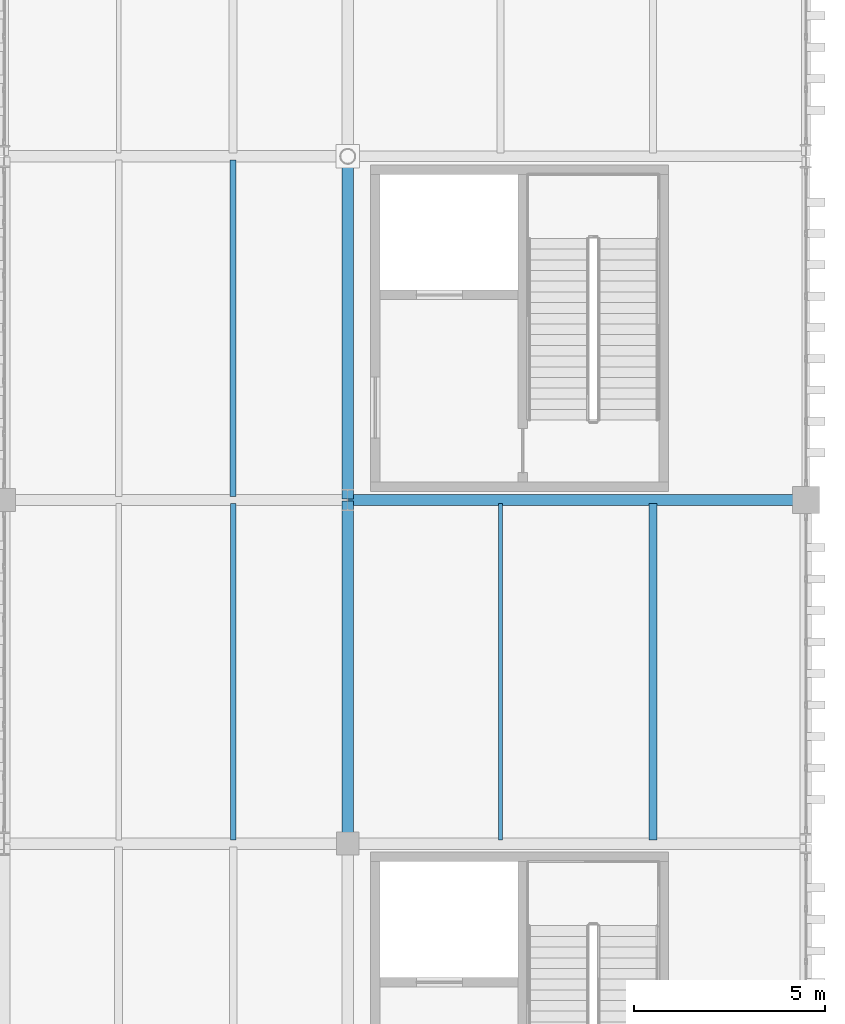
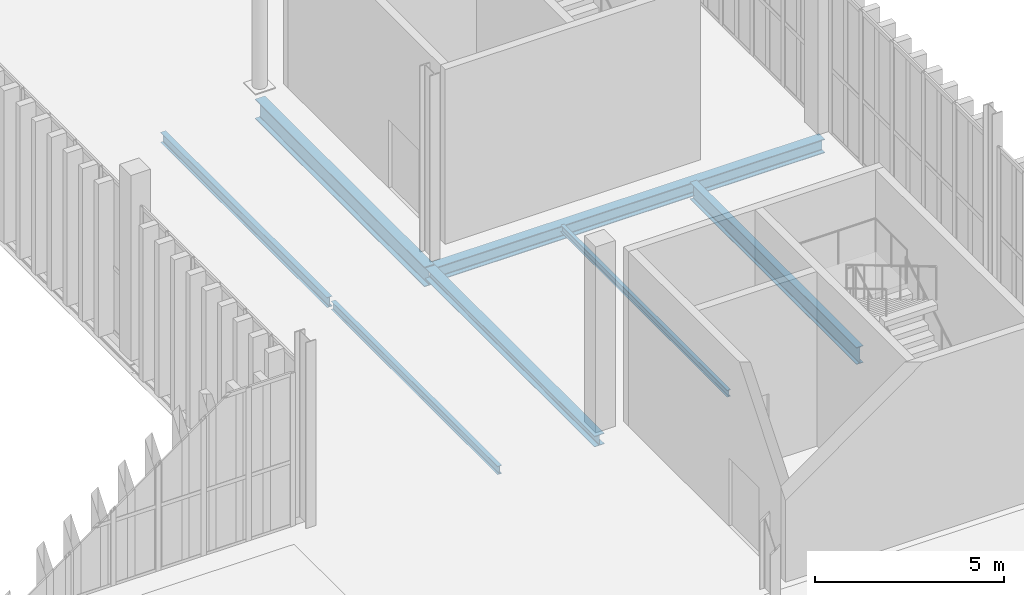
# One storey, part 117 of 211: 7 beams.
"""IFC4 building model written with IfcOpenShell, lengths in metres."""

from ifc_helpers import new_model, si_unit, direction, frame, origin, origin_2d, place, context, subcontext, project, spatial, i_section, extrude, material, material_profile, profile_set, type_object, element, save


model = new_model("IFC4")

# Units and contexts
model_context = context("Model", 3, precision=1e-05, world=origin(), true_north=direction((0.0, 1.0)))
body_context = subcontext(model_context, "Body", "Model", "MODEL_VIEW")
ifc_project = project(units=[si_unit("LENGTHUNIT", "METRE"), si_unit("AREAUNIT", "SQUARE_METRE"), si_unit("VOLUMEUNIT", "CUBIC_METRE"), si_unit("PLANEANGLEUNIT", "RADIAN"), si_unit("MASSUNIT", "GRAM", prefix="KILO")], contexts=[model_context])

# Site, building, storey
site_placement = place(None, origin())
site = spatial("IfcSite", under=ifc_project, at=site_placement, CompositionType="ELEMENT")
building_placement = place(site_placement, origin())
building = spatial("IfcBuilding", under=site, at=building_placement, Name="Barlavento Convention Centre", CompositionType="ELEMENT")
storey_placement = place(building_placement, frame((0.0, 0.0, 6.0)))
storey = spatial("IfcBuildingStorey", under=building, at=storey_placement, Name="L01", CompositionType="ELEMENT", Elevation=6.0)

# Beams
ifc_material = material(Name="Steel S355", Category="steel")
ifc_material_profile_1 = material_profile(ifc_material, i_section(OverallWidth=0.110107421875, OverallDepth=0.219970703125, WebThickness=0.005859375, FlangeThickness=0.00927734375, FilletRadius=0.011962890625, at=origin_2d()), Name="IPE 220")
ifc_profile_set_1 = profile_set([ifc_material_profile_1], Name="Steel S355")
beam_type_1 = type_object("IfcBeamType", Name="STR-BM-JST-IPE220", PredefinedType="JOIST", material=ifc_profile_set_1)
beam_1_placement = place(storey_placement, frame((184.0, 63.094970703125, -0.469970703125), z_axis=(0.0, 1.0, 0.0), x_axis=(-1.0, 0.0, 0.0)))
element("IfcBeam", 1, at=beam_1_placement, inside=storey, type_object=beam_type_1, Name="L01 composite floor joist SJ10", PredefinedType="JOIST", context=body_context, shape_type="SweptSolid", body=[
    extrude(i_section(OverallWidth=0.110107421875, OverallDepth=0.219970703125, WebThickness=0.005859375, FlangeThickness=0.00927734375, FilletRadius=0.011962890625, at=origin_2d()), origin(), (0.0, 0.0, 1.0), 8.81005859375),
])
ifc_material_profile_2 = material_profile(ifc_material, i_section(OverallWidth=0.135009765625, OverallDepth=0.27001953125, WebThickness=0.006591796875, FlangeThickness=0.01025390625, FilletRadius=0.014892578125, at=origin_2d()), Name="IPE 270")
ifc_profile_set_2 = profile_set([ifc_material_profile_2], Name="Steel S355")
beam_type_2 = type_object("IfcBeamType", Name="STR-BM-JST-IPE270", PredefinedType="JOIST", material=ifc_profile_set_2)
beam_2_placement = place(storey_placement, frame((177.0, 63.094970703125, -0.4951171875), z_axis=(0.0, 1.0, 0.0), x_axis=(-1.0, 0.0, 0.0)))
element("IfcBeam", 2, at=beam_2_placement, inside=storey, type_object=beam_type_2, Name="L01 composite floor joist SJ08", PredefinedType="JOIST", context=body_context, shape_type="SweptSolid", body=[
    extrude(i_section(OverallWidth=0.135009765625, OverallDepth=0.27001953125, WebThickness=0.006591796875, FlangeThickness=0.01025390625, FilletRadius=0.014892578125, at=origin_2d()), origin(), (0.0, 0.0, 1.0), 8.81005859375),
])
ifc_material_profile_3 = material_profile(ifc_material, i_section(OverallWidth=0.159912109375, OverallDepth=0.330078125, WebThickness=0.007568359375, FlangeThickness=0.011474609375, FilletRadius=0.01806640625, at=origin_2d()), Name="IPE 330")
ifc_profile_set_3 = profile_set([ifc_material_profile_3], Name="Steel S355")
beam_type_3 = type_object("IfcBeamType", Name="STR-BM-JST-IPE330", PredefinedType="JOIST", material=ifc_profile_set_3)
beam_3_placement = place(storey_placement, frame((177.0, 72.094970703125, -0.52490234375), z_axis=(0.0, 1.0, 0.0), x_axis=(-1.0, 0.0, 0.0)))
element("IfcBeam", 3, at=beam_3_placement, inside=storey, type_object=beam_type_3, Name="L01 composite floor joist SJ06", PredefinedType="JOIST", context=body_context, shape_type="SweptSolid", body=[
    extrude(i_section(OverallWidth=0.159912109375, OverallDepth=0.330078125, WebThickness=0.007568359375, FlangeThickness=0.011474609375, FilletRadius=0.01806640625, at=origin_2d()), origin(), (0.0, 0.0, 1.0), 8.81005859375),
])
ifc_material_profile_4 = material_profile(ifc_material, i_section(OverallWidth=0.2099609375, OverallDepth=0.550048828125, WebThickness=0.010986328125, FlangeThickness=0.01708984375, FilletRadius=0.02392578125, at=origin_2d()), Name="IPE 550")
ifc_profile_set_4 = profile_set([ifc_material_profile_4], Name="Steel S355")
beam_type_4 = type_object("IfcBeamType", Name="STR-BM-JST-IPE550", PredefinedType="JOIST", material=ifc_profile_set_4)
beam_4_placement = place(storey_placement, frame((188.0, 63.094970703125, -0.635009765625), z_axis=(0.0, 1.0, 0.0), x_axis=(-1.0, 0.0, 0.0)))
element("IfcBeam", 4, at=beam_4_placement, inside=storey, type_object=beam_type_4, Name="L01 composite floor joist SJ01", PredefinedType="JOIST", context=body_context, shape_type="SweptSolid", body=[
    extrude(i_section(OverallWidth=0.2099609375, OverallDepth=0.550048828125, WebThickness=0.010986328125, FlangeThickness=0.01708984375, FilletRadius=0.02392578125, at=origin_2d()), origin(), (0.0, 0.0, 1.0), 8.81005859375),
])
ifc_material_profile_5 = material_profile(ifc_material, i_section(OverallWidth=0.300048828125, OverallDepth=0.35009765625, WebThickness=0.010009765625, FlangeThickness=0.017578125, FilletRadius=0.027099609375, at=origin_2d()), Name="HEA 360")
ifc_profile_set_5 = profile_set([ifc_material_profile_5], Name="Steel S355")
beam_type_5 = type_object("IfcBeamType", Name="STR-BM-PRI-HEA360", PredefinedType="BEAM", material=ifc_profile_set_5)
beam_5_placement = place(storey_placement, frame((180.0, 63.02001953125, -0.534912109375), z_axis=(0.0, 1.0, 0.0), x_axis=(-1.0, 0.0, 0.0)))
element("IfcBeam", 5, at=beam_5_placement, inside=storey, type_object=beam_type_5, Name="L01 grid girder BG23", PredefinedType="BEAM", context=body_context, shape_type="SweptSolid", body=[
    extrude(i_section(OverallWidth=0.300048828125, OverallDepth=0.35009765625, WebThickness=0.010009765625, FlangeThickness=0.017578125, FilletRadius=0.027099609375, at=origin_2d()), origin(), (0.0, 0.0, 1.0), 8.9599609375),
])
ifc_material_profile_6 = material_profile(ifc_material, i_section(OverallWidth=0.300048828125, OverallDepth=0.639892578125, WebThickness=0.013427734375, FlangeThickness=0.02587890625, FilletRadius=0.027099609375, at=origin_2d()), Name="HEA 650")
ifc_profile_set_6 = profile_set([ifc_material_profile_6], Name="Steel S355")
beam_type_6 = type_object("IfcBeamType", Name="STR-BM-PRI-HEA650", PredefinedType="BEAM", material=ifc_profile_set_6)
beam_6_placement = place(storey_placement, frame((180.0, 72.02001953125, -0.679931640625), z_axis=(0.0, 1.0, 0.0), x_axis=(-1.0, 0.0, 0.0)))
element("IfcBeam", 6, at=beam_6_placement, inside=storey, type_object=beam_type_6, Name="L01 grid girder BG17", PredefinedType="BEAM", context=body_context, shape_type="SweptSolid", body=[
    extrude(i_section(OverallWidth=0.300048828125, OverallDepth=0.639892578125, WebThickness=0.013427734375, FlangeThickness=0.02587890625, FilletRadius=0.027099609375, at=origin_2d()), origin(), (0.0, 0.0, 1.0), 8.9599609375),
])
ifc_material_profile_7 = material_profile(ifc_material, i_section(OverallWidth=0.300048828125, OverallDepth=0.449951171875, WebThickness=0.013916015625, FlangeThickness=0.02587890625, FilletRadius=0.027099609375, at=origin_2d()), Name="HEB 450")
ifc_profile_set_7 = profile_set([ifc_material_profile_7], Name="Steel S355")
beam_type_7 = type_object("IfcBeamType", Name="STR-BM-PRI-HEB450", PredefinedType="BEAM", material=ifc_profile_set_7)
beam_7_placement = place(storey_placement, frame((180.02001953125, 72.0, -0.5849609375), z_axis=(1.0, 0.0, 0.0), x_axis=(0.0, 1.0, 0.0)))
element("IfcBeam", 7, at=beam_7_placement, inside=storey, type_object=beam_type_7, Name="L01 primary girder BG10", PredefinedType="BEAM", context=body_context, shape_type="SweptSolid", body=[
    extrude(i_section(OverallWidth=0.300048828125, OverallDepth=0.449951171875, WebThickness=0.013916015625, FlangeThickness=0.02587890625, FilletRadius=0.027099609375, at=origin_2d()), origin(), (0.0, 0.0, 1.0), 11.9599609375),
])

save(model, "model.ifc")
